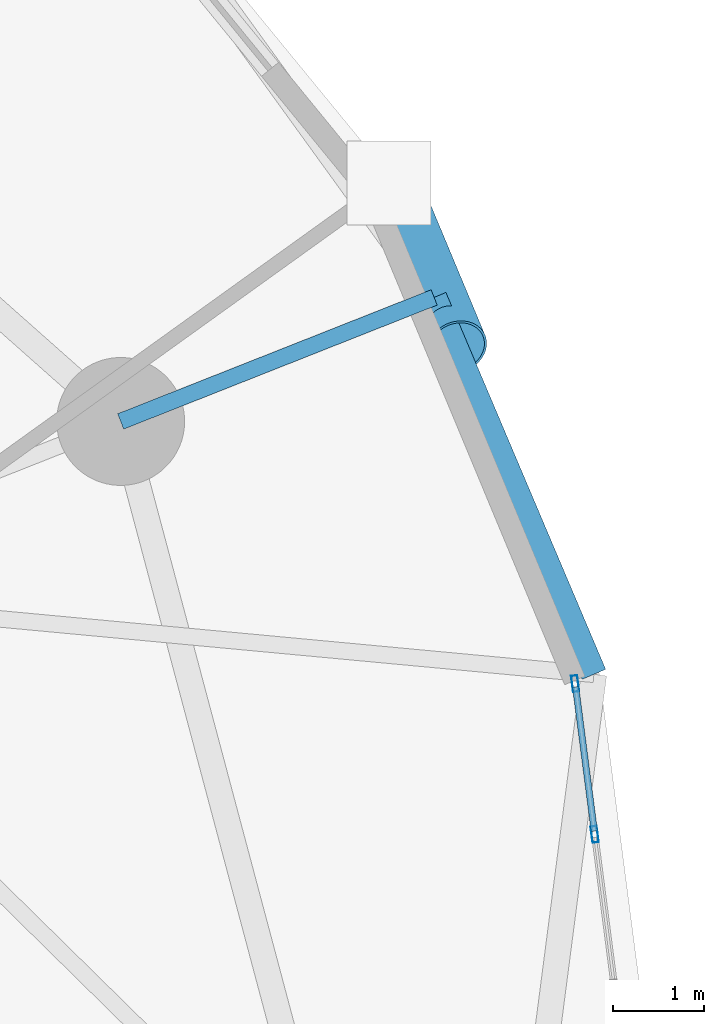
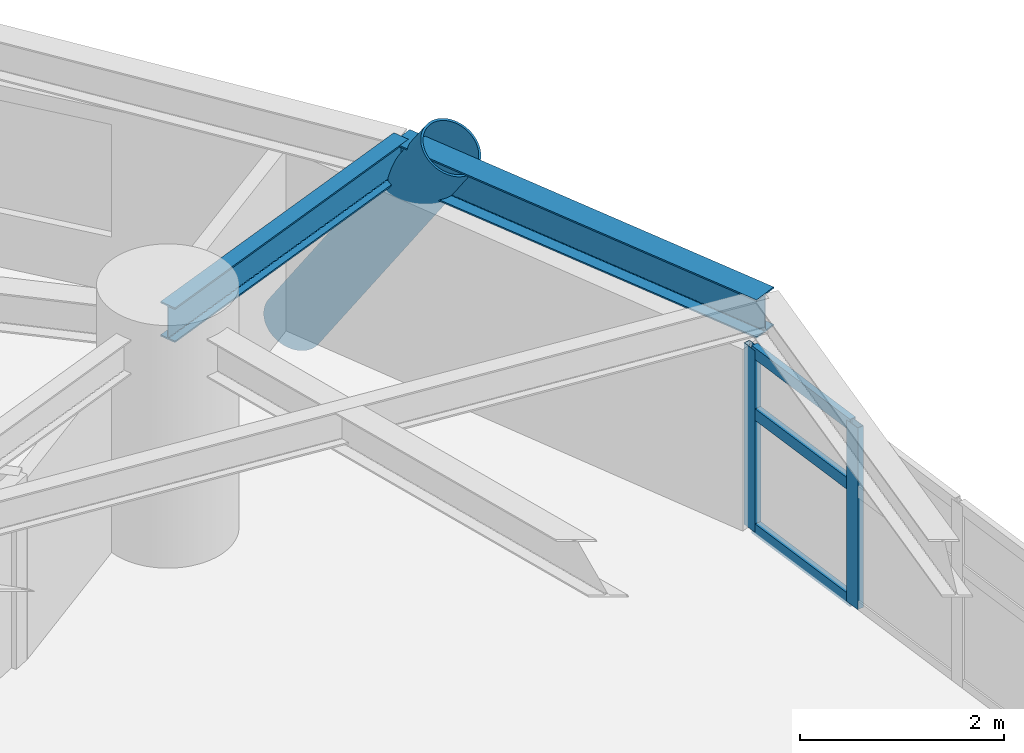
# One storey, part 4 of 18: 6 members, 2 beams, 1 element without a shape of its own.
"""IFC4 building model written with IfcOpenShell, lengths in metres."""

from ifc_helpers import new_model, si_unit, direction, frame, origin, origin_2d, place, context, subcontext, project, spatial, hollow_rectangle, hollow_circle, i_section, extrude, material, layer, layer_set, material_profile, profile_set, type_object, element, aggregate, save


model = new_model("IFC4")

# Units and contexts
model_context = context("Model", 3, precision=1e-05, world=origin(), true_north=direction((0.0, 1.0)))
body_context = subcontext(model_context, "Body", "Model", "MODEL_VIEW")
ifc_project = project(units=[si_unit("LENGTHUNIT", "METRE"), si_unit("AREAUNIT", "SQUARE_METRE"), si_unit("VOLUMEUNIT", "CUBIC_METRE"), si_unit("PLANEANGLEUNIT", "RADIAN"), si_unit("MASSUNIT", "GRAM", prefix="KILO")], contexts=[model_context])

# Site, building, storey
site_placement = place(None, origin())
site = spatial("IfcSite", under=ifc_project, at=site_placement, CompositionType="ELEMENT")
building_placement = place(site_placement, origin())
building = spatial("IfcBuilding", under=site, at=building_placement, Name="Cununo Teusaquillo Station Towers", CompositionType="ELEMENT")
storey_placement = place(building_placement, frame((0.0, 0.0, 119.6201171875)))
storey = spatial("IfcBuildingStorey", under=building, at=storey_placement, Name="L38", CompositionType="ELEMENT", Elevation=119.6201171875)

# Beams
ifc_material_1 = material(Name="Steel ASTM A572 Grade 50", Category="steel")
ifc_material_profile_1 = material_profile(ifc_material_1, i_section(OverallWidth=0.180908203125, OverallDepth=0.4169921875, WebThickness=0.010986328125, FlangeThickness=0.018310546875, FilletRadius=0.012939453125, at=origin_2d()), Name="W16X57")
ifc_profile_set_1 = profile_set([ifc_material_profile_1], Name="Steel ASTM A572 Grade 50")
beam_type_1 = type_object("IfcBeamType", Name="BM-RAD-G2", PredefinedType="BEAM", material=ifc_profile_set_1)
beam_1_placement = place(storey_placement, frame((26.347412109375, 33.228515625, 2.46142578125), z_axis=(0.929861788731, 0.367909029323, 0.0), x_axis=(-0.367909029323, 0.929861788731, 0.0)))
element("IfcBeam", 1, at=beam_1_placement, inside=storey, type_object=beam_type_1, Name="L38 Tower A Perimeter Overhang Girder 02B", PredefinedType="BEAM", context=body_context, shape_type="SweptSolid", body=[
    extrude(i_section(OverallWidth=0.180908203125, OverallDepth=0.4169921875, WebThickness=0.010986328125, FlangeThickness=0.018310546875, FilletRadius=0.012939453125, at=origin_2d()), origin(), (0.0, 0.0, 1.0), 3.690185546875),
])
ifc_material_2 = material(Name="Steel ASTM A572 Grade 50", Category="steel")
ifc_material_profile_2 = material_profile(ifc_material_2, i_section(OverallWidth=0.280029296875, OverallDepth=0.462890625, WebThickness=0.0107421875, FlangeThickness=0.017333984375, FilletRadius=0.013916015625, at=origin_2d()), Name="W18X76")
ifc_profile_set_2 = profile_set([ifc_material_profile_2], Name="Steel ASTM A572 Grade 50")
beam_type_2 = type_object("IfcBeamType", Name="BM-RING-Z2", PredefinedType="SPANDREL", material=ifc_profile_set_2)
beam_2_placement = place(storey_placement, frame((31.527587890625, 30.4609375, 2.4384765625), z_axis=(-0.390299356049, 0.920688010494, 0.0), x_axis=(-0.920688010494, -0.390299356049, 0.0)))
element("IfcBeam", 2, at=beam_2_placement, inside=storey, type_object=beam_type_2, Name="L38 Tower A Spandrel Ring Beam 02", PredefinedType="SPANDREL", context=body_context, shape_type="SweptSolid", body=[
    extrude(i_section(OverallWidth=0.280029296875, OverallDepth=0.462890625, WebThickness=0.0107421875, FlangeThickness=0.017333984375, FilletRadius=0.013916015625, at=origin_2d()), origin(), (0.0, 0.0, 1.0), 4.480712890625),
])

# Curtain wall, members
ifc_material_3 = material(Name="Ceramic-fritted dark low-E double glazing", Category="glass")
ifc_layer = layer(ifc_material_3, 0.179931640625)
ifc_layer_set = layer_set([ifc_layer], Name="Ceramic-fritted dark low-E double glazing")
curtain_wall_type = type_object("IfcCurtainWallType", Name="CW-SYS-04", PredefinedType="USERDEFINED", material=ifc_layer_set)
curtain_wall_placement = place(storey_placement, origin())
curtain_wall = element("IfcCurtainWall", 3, at=curtain_wall_placement, inside=storey, type_object=curtain_wall_type, Name="L38 Tower A Facade Curtain Wall C00", ObjectType="FRITTED GLAZING", PredefinedType="USERDEFINED")
ifc_material_4 = material(Name="Anodised dark bronze aluminium EN AW-6063-T6", Category="aluminium")
ifc_material_profile_3 = material_profile(ifc_material_4, hollow_rectangle(XDim=0.070068359375, YDim=0.179931640625, WallThickness=0.00390625, at=origin_2d()), Name="CW-MULL-70x180")
ifc_profile_set_3 = profile_set([ifc_material_profile_3], Name="Anodised dark bronze aluminium EN AW-6063-T6")
member_type_1 = type_object("IfcMemberType", Name="CWM-180", PredefinedType="MULLION", material=ifc_profile_set_3)
member_1_placement = place(storey_placement, frame((31.322998046875, 30.3583984375, 0.0), z_axis=(0.0, 0.0, 1.0), x_axis=(0.991730764367, 0.128335852387, 0.0)))
member_1 = element("IfcMember", 4, at=member_1_placement, type_object=member_type_1, Name="CW-04 mullion 1", PredefinedType="MULLION", context=body_context, shape_type="SweptSolid", body=[
    extrude(hollow_rectangle(XDim=0.070068359375, YDim=0.179931640625, WallThickness=0.00390625, at=origin_2d()), origin(), (0.0, 0.0, 1.0), 2.178955078125),
])
member_2_placement = place(storey_placement, frame((31.5361328125, 28.709716796875, 0.0), z_axis=(0.0, 0.0, 1.0), x_axis=(0.991730764367, 0.128335852387, 0.0)))
member_2 = element("IfcMember", 5, at=member_2_placement, type_object=member_type_1, Name="CW-04 mullion 2", PredefinedType="MULLION", context=body_context, shape_type="SweptSolid", body=[
    extrude(hollow_rectangle(XDim=0.070068359375, YDim=0.179931640625, WallThickness=0.00390625, at=origin_2d()), origin(), (0.0, 0.0, 1.0), 2.178955078125),
])
ifc_material_5 = material(Name="Anodised dark bronze aluminium EN AW-6063-T6", Category="aluminium")
ifc_material_profile_4 = material_profile(ifc_material_5, hollow_rectangle(XDim=0.070068359375, YDim=0.139892578125, WallThickness=0.00390625, at=origin_2d()), Name="CW-TRAN-70x140")
ifc_profile_set_4 = profile_set([ifc_material_profile_4], Name="Anodised dark bronze aluminium EN AW-6063-T6")
member_type_2 = type_object("IfcMemberType", Name="CWT-140", PredefinedType="USERDEFINED", material=ifc_profile_set_4)
member_3_placement = place(storey_placement, frame((31.327392578125, 30.323486328125, 0.034912109375), z_axis=(0.128336210724, -0.991730717996, 0.0), x_axis=(0.991730717996, 0.128336210724, 0.0)))
member_3 = element("IfcMember", 6, at=member_3_placement, type_object=member_type_2, Name="CW-04 transom 1.1", ObjectType="TRANSOM", PredefinedType="USERDEFINED", context=body_context, shape_type="SweptSolid", body=[
    extrude(hollow_rectangle(XDim=0.070068359375, YDim=0.139892578125, WallThickness=0.00390625, at=origin_2d()), origin(), (0.0, 0.0, 1.0), 1.59228515625),
])
member_4_placement = place(storey_placement, frame((31.327392578125, 30.323486328125, 1.415771484375), z_axis=(0.128336210724, -0.991730717996, 0.0), x_axis=(0.991730717996, 0.128336210724, 0.0)))
member_4 = element("IfcMember", 7, at=member_4_placement, type_object=member_type_2, Name="CW-04 transom 1.2", ObjectType="TRANSOM", PredefinedType="USERDEFINED", context=body_context, shape_type="SweptSolid", body=[
    extrude(hollow_rectangle(XDim=0.070068359375, YDim=0.139892578125, WallThickness=0.00390625, at=origin_2d()), origin(), (0.0, 0.0, 1.0), 1.59228515625),
])
member_5_placement = place(storey_placement, frame((31.327392578125, 30.323486328125, 2.143798828125), z_axis=(0.128336210724, -0.991730717996, 0.0), x_axis=(0.991730717996, 0.128336210724, 0.0)))
member_5 = element("IfcMember", 8, at=member_5_placement, type_object=member_type_2, Name="CW-04 transom 1.3", ObjectType="TRANSOM", PredefinedType="USERDEFINED", context=body_context, shape_type="SweptSolid", body=[
    extrude(hollow_rectangle(XDim=0.070068359375, YDim=0.139892578125, WallThickness=0.00390625, at=origin_2d()), origin(), (0.0, 0.0, 1.0), 1.59228515625),
])
aggregate(curtain_wall, [member_1, member_2, member_3, member_4, member_5])

# Member
ifc_material_6 = material(Name="Steel EN 10025-2 S355J2", Category="steel")
ifc_material_profile_5 = material_profile(ifc_material_6, hollow_circle(Radius=0.330078125, WallThickness=0.02490234375, at=origin_2d()), Name="CHS 660x25")
ifc_profile_set_5 = profile_set([ifc_material_profile_5], Name="Steel EN 10025-2 S355J2")
member_type_3 = type_object("IfcMemberType", Name="MBR-DIAG-Z2", PredefinedType="BRACE", material=ifc_profile_set_5)
member_6_placement = place(storey_placement, frame((29.283203125, 35.83837890625, -0.14013671875), z_axis=(0.213880258627, -0.512335679883, 0.831725547334), x_axis=(0.922816406816, 0.385240028179, 0.0)))
element("IfcMember", 9, at=member_6_placement, inside=storey, type_object=member_type_3, Name="L38 Tower A Folded-Zigzag Diagrid Tube C01", PredefinedType="BRACE", context=body_context, shape_type="SweptSolid", body=[
    extrude(hollow_circle(Radius=0.330078125, WallThickness=0.02490234375, at=origin_2d()), origin(), (0.0, 0.0, 1.0), 3.49853515625),
])

save(model, "model.ifc")
